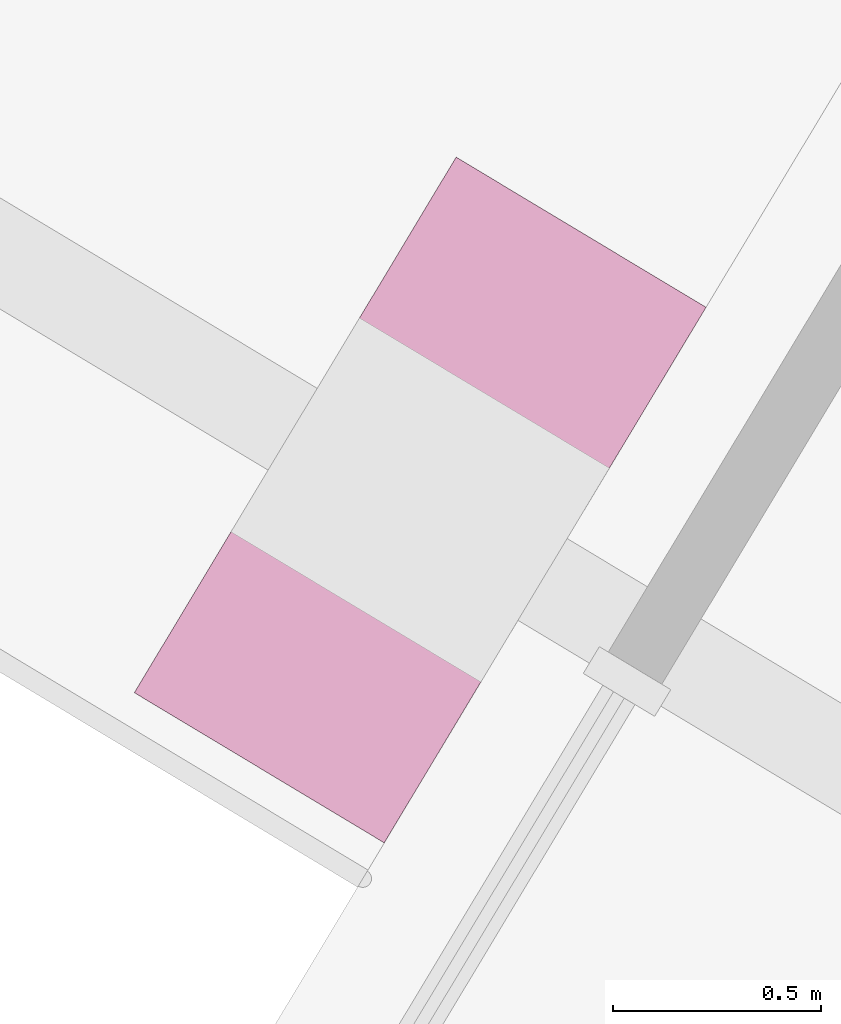
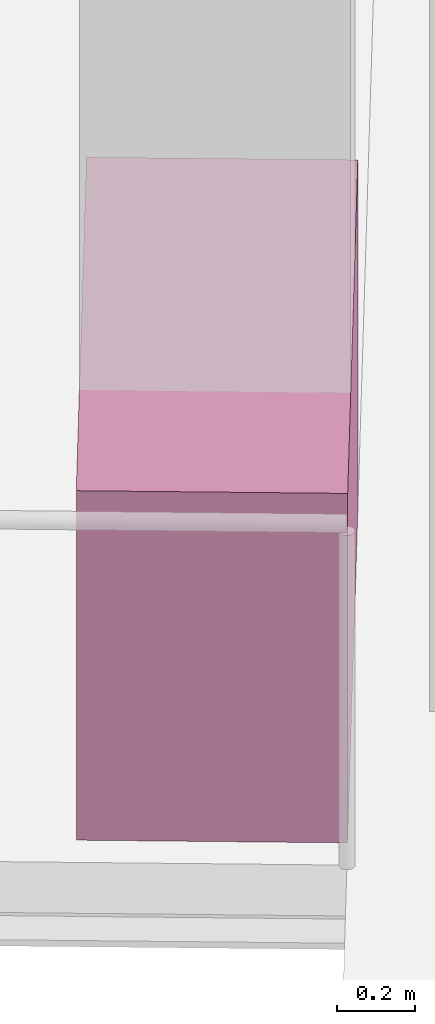
# One storey, part 23 of 24: 1 furniture element.
"""IFC4 building model written with IfcOpenShell, lengths in metres."""

from ifc_helpers import new_model, si_unit, direction, frame, origin, origin_2d, place, context, subcontext, project, spatial, rectangle, extrude, source, transform, mapped, material, type_object, element, save


model = new_model("IFC4")

# Units and contexts
model_context = context("Model", 3, precision=1e-05, world=origin(), true_north=direction((0.0, 1.0)))
body_context = subcontext(model_context, "Body", "Model", "MODEL_VIEW")
ifc_project = project(units=[si_unit("LENGTHUNIT", "METRE"), si_unit("AREAUNIT", "SQUARE_METRE"), si_unit("VOLUMEUNIT", "CUBIC_METRE"), si_unit("PLANEANGLEUNIT", "RADIAN"), si_unit("MASSUNIT", "GRAM", prefix="KILO")], contexts=[model_context])

# Site, building, storey
site_placement = place(None, origin())
site = spatial("IfcSite", under=ifc_project, at=site_placement, CompositionType="ELEMENT")
building_placement = place(site_placement, origin())
building = spatial("IfcBuilding", under=site, at=building_placement, Name="Triune Harvest Tower", CompositionType="ELEMENT")
storey_placement = place(building_placement, frame((0.0, 0.0, 212.300048828125)))
storey = spatial("IfcBuildingStorey", under=building, at=storey_placement, Name="L55", CompositionType="ELEMENT", Elevation=212.300048828125)

# Furniture
ifc_material = material(Name="Concrete 40 MPa", Category="concrete")
furniture_type = type_object("IfcFurnitureType", Name="PB-1 structural planter", AssemblyPlace="SITE", PredefinedType="USERDEFINED", material=ifc_material)
shared_shape = source(origin(), body_context, "Body", "SweptSolid", [
    extrude(rectangle(XDim=1.5, YDim=0.699951171875, at=origin_2d()), origin(), (0.0, 0.0, 1.0), 1.10009765625),
])
furniture_placement = place(storey_placement, frame((-19.38818359375, 9.141357421875, 0.0), z_axis=(0.0, 0.0, 1.0), x_axis=(-0.515036632219, -0.857168167557, 0.0)))
element("IfcFurniture", 1, at=furniture_placement, inside=storey, type_object=furniture_type, Name="Planter B5-F3 L55.6b", ObjectType="PLANTER", PredefinedType="USERDEFINED", context=body_context, shape_type="MappedRepresentation", body=[
    mapped(shared_shape, transform((0.0, 0.0, 0.0), scale=1.0)),
])

save(model, "model.ifc")
